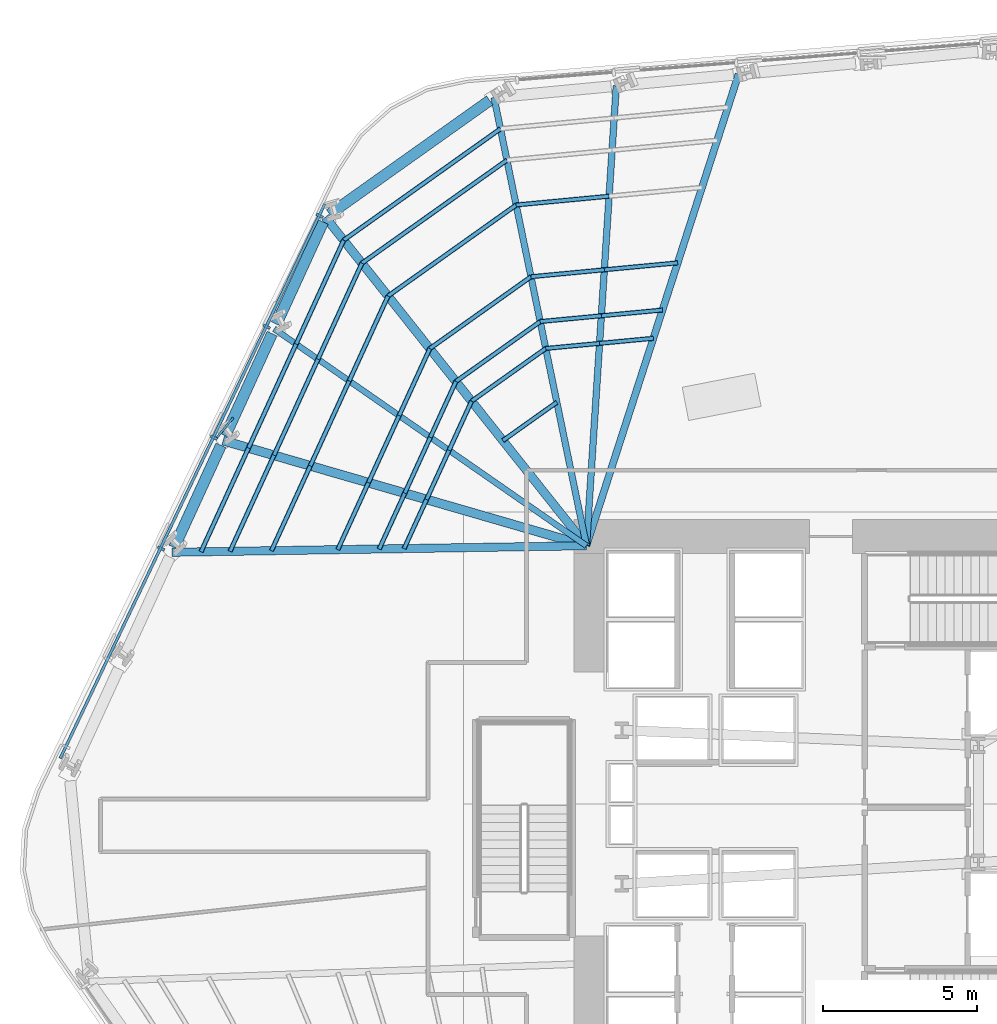
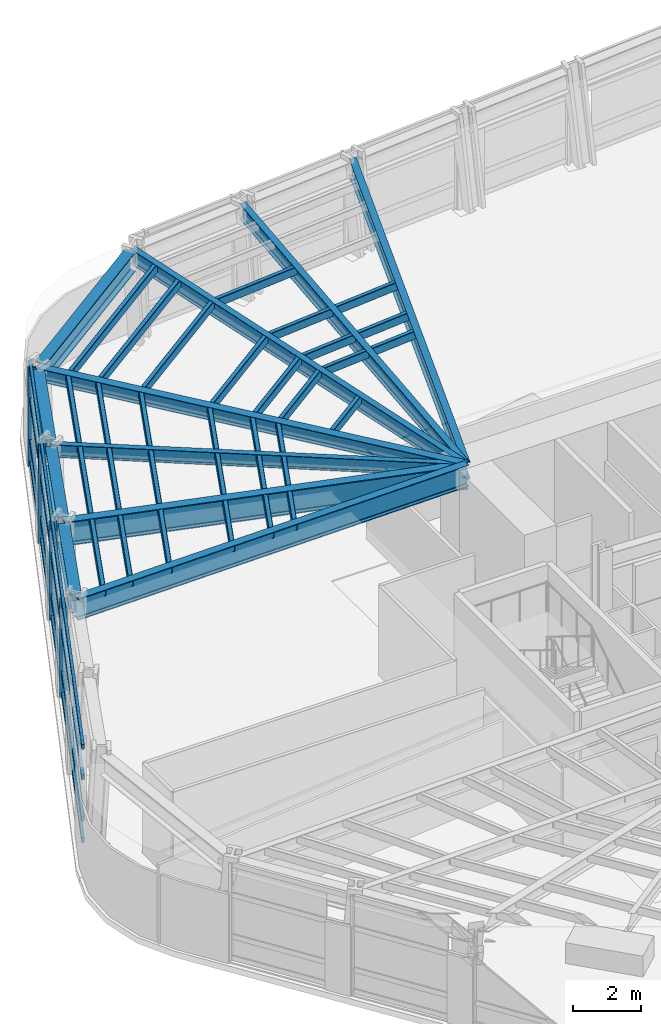
# One storey, part 5 of 15: 41 members, 11 beams, 1 element without a shape of its own.
"""IFC4 building model written with IfcOpenShell, lengths in metres."""

from ifc_helpers import new_model, si_unit, direction, frame, origin, origin_2d, place, context, subcontext, project, spatial, rectangle, hollow_rectangle, i_section, extrude, material, layer, layer_set, material_profile, profile_set, type_object, element, aggregate, save


model = new_model("IFC4")

# Units and contexts
model_context = context("Model", 3, precision=1e-05, world=origin(), true_north=direction((0.0, 1.0)))
body_context = subcontext(model_context, "Body", "Model", "MODEL_VIEW")
ifc_project = project(units=[si_unit("LENGTHUNIT", "METRE"), si_unit("AREAUNIT", "SQUARE_METRE"), si_unit("VOLUMEUNIT", "CUBIC_METRE"), si_unit("PLANEANGLEUNIT", "RADIAN"), si_unit("MASSUNIT", "GRAM", prefix="KILO")], contexts=[model_context])

# Site, building, storey
site_placement = place(None, origin())
site = spatial("IfcSite", under=ifc_project, at=site_placement, CompositionType="ELEMENT")
building_placement = place(site_placement, origin())
building = spatial("IfcBuilding", under=site, at=building_placement, Name="Valkerne Bourse Tower", CompositionType="ELEMENT")
storey_placement = place(building_placement, frame((0.0, 0.0, 43.0)))
storey = spatial("IfcBuildingStorey", under=building, at=storey_placement, Name="L10", CompositionType="ELEMENT", Elevation=43.0)

# Beams
ifc_material_1 = material(Name="Steel ASTM A992", Category="steel")
ifc_material_profile_1 = material_profile(ifc_material_1, i_section(OverallWidth=0.1904296875, OverallDepth=0.457275390625, WebThickness=0.009033203125, FlangeThickness=0.014404296875, FilletRadius=0.01513671875, at=origin_2d()), Name="W18X50")
ifc_profile_set_1 = profile_set([ifc_material_profile_1], Name="Steel ASTM A992")
beam_type_1 = type_object("IfcBeamType", Name="BM-W18X50", PredefinedType="JOIST", material=ifc_profile_set_1)
beam_1_placement = place(storey_placement, frame((27.444091796875, 42.4541015625, 3.351318359375), z_axis=(0.821316260528, -0.570473137135, 0.0), x_axis=(0.570473137135, 0.821316260528, 0.0)))
element("IfcBeam", 1, at=beam_1_placement, inside=storey, type_object=beam_type_1, Name="L10 Radial Composite Floor Beam 13", PredefinedType="JOIST", context=body_context, shape_type="SweptSolid", body=[
    extrude(i_section(OverallWidth=0.1904296875, OverallDepth=0.457275390625, WebThickness=0.009033203125, FlangeThickness=0.014404296875, FilletRadius=0.01513671875, at=origin_2d()), origin(), (0.0, 0.0, 1.0), 12.365478515625),
])
ifc_material_profile_2 = material_profile(ifc_material_1, i_section(OverallWidth=0.279296875, OverallDepth=0.46240234375, WebThickness=0.0107421875, FlangeThickness=0.017333984375, FilletRadius=0.017822265625, at=origin_2d()), Name="W18X76")
ifc_profile_set_2 = profile_set([ifc_material_profile_2], Name="Steel ASTM A992")
beam_type_2 = type_object("IfcBeamType", Name="BM-W18X76", PredefinedType="BEAM", material=ifc_profile_set_2)
beam_2_placement = place(storey_placement, frame((29.107666015625, 46.08740234375, 3.348876953125), z_axis=(0.622120185707, -0.782921755053, 0.0), x_axis=(0.782921755053, 0.622120185707, 0.0)))
element("IfcBeam", 2, at=beam_2_placement, inside=storey, type_object=beam_type_2, Name="L10 Radial Composite Floor Beam 12", PredefinedType="BEAM", context=body_context, shape_type="SweptSolid", body=[
    extrude(i_section(OverallWidth=0.279296875, OverallDepth=0.46240234375, WebThickness=0.0107421875, FlangeThickness=0.017333984375, FilletRadius=0.017822265625, at=origin_2d()), origin(), (0.0, 0.0, 1.0), 13.65087890625),
])
ifc_material_profile_3 = material_profile(ifc_material_1, i_section(OverallWidth=0.209228515625, OverallDepth=0.533447265625, WebThickness=0.01025390625, FlangeThickness=0.015625, FilletRadius=0.017822265625, at=origin_2d()), Name="W21X62")
ifc_profile_set_3 = profile_set([ifc_material_profile_3], Name="Steel ASTM A992")
beam_type_3 = type_object("IfcBeamType", Name="BM-W21X62", PredefinedType="JOIST", material=ifc_profile_set_3)
beam_3_placement = place(storey_placement, frame((34.5927734375, 49.9853515625, 3.313232421875), z_axis=(0.201938776345, -0.979398147133, 0.0), x_axis=(0.979398147133, 0.201938776345, 0.0)))
element("IfcBeam", 3, at=beam_3_placement, inside=storey, type_object=beam_type_3, Name="L10 Radial Composite Floor Beam 11", PredefinedType="JOIST", context=body_context, shape_type="SweptSolid", body=[
    extrude(i_section(OverallWidth=0.209228515625, OverallDepth=0.533447265625, WebThickness=0.01025390625, FlangeThickness=0.015625, FilletRadius=0.017822265625, at=origin_2d()), origin(), (0.0, 0.0, 1.0), 14.892333984375),
])
ifc_material_profile_4 = material_profile(ifc_material_1, i_section(OverallWidth=0.2138671875, OverallDepth=0.548583984375, WebThickness=0.0146484375, FlangeThickness=0.023681640625, FilletRadius=0.017822265625, at=origin_2d()), Name="W21X93")
ifc_profile_set_4 = profile_set([ifc_material_profile_4], Name="Steel ASTM A992")
beam_type_4 = type_object("IfcBeamType", Name="BM-W21X93", PredefinedType="BEAM", material=ifc_profile_set_4)
beam_4_placement = place(storey_placement, frame((38.571044921875, 50.361572265625, 3.3056640625), z_axis=(-0.064759425947, -0.997900905276, 0.0), x_axis=(0.997900905276, -0.064759425947, 0.0)))
element("IfcBeam", 4, at=beam_4_placement, inside=storey, type_object=beam_type_4, Name="L10 Radial Composite Floor Beam 10", PredefinedType="BEAM", context=body_context, shape_type="SweptSolid", body=[
    extrude(i_section(OverallWidth=0.2138671875, OverallDepth=0.548583984375, WebThickness=0.0146484375, FlangeThickness=0.023681640625, FilletRadius=0.017822265625, at=origin_2d()), origin(), (0.0, 0.0, 1.0), 14.9931640625),
])
ifc_material_profile_5 = material_profile(ifc_material_1, i_section(OverallWidth=0.228271484375, OverallDepth=0.607177734375, WebThickness=0.01123046875, FlangeThickness=0.017333984375, FilletRadius=0.017822265625, at=origin_2d()), Name="W24X76")
ifc_profile_set_5 = profile_set([ifc_material_profile_5], Name="Steel ASTM A992")
beam_type_5 = type_object("IfcBeamType", Name="BM-W24X76", PredefinedType="JOIST", material=ifc_profile_set_5)
beam_5_placement = place(storey_placement, frame((42.54931640625, 50.737548828125, 3.2763671875), z_axis=(-0.307092185223, -0.951679772705, 0.0), x_axis=(0.951679772705, -0.307092185223, 0.0)))
element("IfcBeam", 5, at=beam_5_placement, inside=storey, type_object=beam_type_5, Name="L10 Radial Composite Floor Beam 09", PredefinedType="JOIST", context=body_context, shape_type="SweptSolid", body=[
    extrude(i_section(OverallWidth=0.228271484375, OverallDepth=0.607177734375, WebThickness=0.01123046875, FlangeThickness=0.017333984375, FilletRadius=0.017822265625, at=origin_2d()), origin(), (0.0, 0.0, 1.0), 16.116455078125),
])
ifc_material_profile_6 = material_profile(ifc_material_1, i_section(OverallWidth=0.358154296875, OverallDepth=0.7060546875, WebThickness=0.018310546875, FlangeThickness=0.0302734375, FilletRadius=0.02294921875, at=origin_2d()), Name="W27X178")
ifc_profile_set_6 = profile_set([ifc_material_profile_6], Name="Steel ASTM A992")
beam_type_6 = type_object("IfcBeamType", Name="BM-W27X178", PredefinedType="SPANDREL", material=ifc_profile_set_6)
beam_6_placement = place(storey_placement, frame((34.4541015625, 49.886962890625, 3.226806640625), z_axis=(-0.815112506317, -0.579302686033, 0.0), x_axis=(0.579302686033, -0.815112506317, 0.0)))
element("IfcBeam", 6, at=beam_6_placement, inside=storey, type_object=beam_type_6, Name="L10 Hexagonal Spandrel Ring Beam 11", PredefinedType="SPANDREL", context=body_context, shape_type="SweptSolid", body=[
    extrude(i_section(OverallWidth=0.358154296875, OverallDepth=0.7060546875, WebThickness=0.018310546875, FlangeThickness=0.0302734375, FilletRadius=0.02294921875, at=origin_2d()), origin(), (0.0, 0.0, 1.0), 6.388916015625),
])
for number, where, z_axis, x_axis, name in (
    (7, (29.036865234375, 45.932861328125, 3.226806640625), (-0.416286781049, -0.909233367142, 0.0), (0.909233367142, -0.416286781049, 0.0), "L10 Hexagonal Spandrel Ring Beam 12"),
    (8, (27.373291015625, 42.299560546875, 3.226806640625), (-0.416231573984, -0.909258641322, 0.0), (0.909258641322, -0.416231573984, 0.0), "L10 Hexagonal Spandrel Ring Beam 13"),
    (9, (25.7099609375, 38.666259765625, 3.226806640625), (-0.416286781049, -0.909233367142, 0.0), (0.909233367142, -0.416286781049, 0.0), "L10 Hexagonal Spandrel Ring Beam 14"),
):
    element("IfcBeam", number, at=place(storey_placement, frame(where, z_axis=z_axis, x_axis=x_axis)), inside=storey, type_object=beam_type_6, Name=name, PredefinedType="SPANDREL", context=body_context, shape_type="SweptSolid", body=[
        extrude(i_section(OverallWidth=0.358154296875, OverallDepth=0.7060546875, WebThickness=0.018310546875, FlangeThickness=0.0302734375, FilletRadius=0.02294921875, at=origin_2d()), origin(), (0.0, 0.0, 1.0), 3.656005859375),
    ])
ifc_material_profile_7 = material_profile(ifc_material_1, i_section(OverallWidth=0.26806640625, OverallDepth=0.76953125, WebThickness=0.015625, FlangeThickness=0.025390625, FilletRadius=0.025390625, at=origin_2d()), Name="W30X132")
ifc_profile_set_7 = profile_set([ifc_material_profile_7], Name="Steel ASTM A992")
beam_type_7 = type_object("IfcBeamType", Name="BM-W30X132", PredefinedType="BEAM", material=ifc_profile_set_7)
beam_7_placement = place(storey_placement, frame((24.1171875, 35.1875, 3.1953125), z_axis=(0.999875937506, 0.01575149505, 0.0), x_axis=(-0.01575149505, 0.999875937506, 0.0)))
element("IfcBeam", 10, at=beam_7_placement, inside=storey, type_object=beam_type_7, Name="L10 Radial Composite Floor Beam 15", PredefinedType="BEAM", context=body_context, shape_type="SweptSolid", body=[
    extrude(i_section(OverallWidth=0.26806640625, OverallDepth=0.76953125, WebThickness=0.015625, FlangeThickness=0.025390625, FilletRadius=0.025390625, at=origin_2d()), origin(), (0.0, 0.0, 1.0), 13.484619140625),
])
ifc_material_profile_8 = material_profile(ifc_material_1, i_section(OverallWidth=0.2919921875, OverallDepth=0.8583984375, WebThickness=0.01708984375, FlangeThickness=0.031005859375, FilletRadius=0.025390625, at=origin_2d()), Name="W33X169")
ifc_profile_set_8 = profile_set([ifc_material_profile_8], Name="Steel ASTM A992")
beam_type_8 = type_object("IfcBeamType", Name="BM-W33X169", PredefinedType="BEAM", material=ifc_profile_set_8)
beam_8_placement = place(storey_placement, frame((25.78076171875, 38.82080078125, 3.150634765625), z_axis=(0.960574862844, -0.27802146117, 0.0), x_axis=(0.27802146117, 0.960574862844, 0.0)))
element("IfcBeam", 11, at=beam_8_placement, inside=storey, type_object=beam_type_8, Name="L10 Radial Composite Floor Beam 14", PredefinedType="BEAM", context=body_context, shape_type="SweptSolid", body=[
    extrude(i_section(OverallWidth=0.2919921875, OverallDepth=0.8583984375, WebThickness=0.01708984375, FlangeThickness=0.031005859375, FilletRadius=0.025390625, at=origin_2d()), origin(), (0.0, 0.0, 1.0), 12.304443359375),
])

# Curtain wall, members
ifc_material_2 = material(Name="Aluminium AA 6063-T6", Category="aluminium")
ifc_layer = layer(ifc_material_2, 0.22509765625)
ifc_layer_set = layer_set([ifc_layer], Name="Aluminium AA 6063-T6")
curtain_wall_type = type_object("IfcCurtainWallType", Name="CW-01", PredefinedType="NOTDEFINED", material=ifc_layer_set)
curtain_wall_placement = place(storey_placement, origin())
curtain_wall = element("IfcCurtainWall", 12, at=curtain_wall_placement, inside=storey, type_object=curtain_wall_type, Name="L10 Hexagonal Stick Curtain Wall Face 3", PredefinedType="NOTDEFINED")
ifc_material_profile_9 = material_profile(ifc_material_2, rectangle(XDim=0.090087890625, YDim=0.239990234375, at=origin_2d()), Name="CWM-90X240")
ifc_profile_set_9 = profile_set([ifc_material_profile_9], Name="Aluminium AA 6063-T6")
member_type_1 = type_object("IfcMemberType", Name="CW-MUL-240X90", PredefinedType="MULLION", material=ifc_profile_set_9)
member_1_placement = place(storey_placement, frame((28.922119140625, 46.13037109375, 0.0), z_axis=(0.0, 0.0, 1.0), x_axis=(-0.430499812509, -0.902590666598, 0.0)))
member_1 = element("IfcMember", 13, at=member_1_placement, type_object=member_type_1, Name="CW-L10-F3 Jamb Mullion 00A", PredefinedType="MULLION", context=body_context, shape_type="SweptSolid", body=[
    extrude(rectangle(XDim=0.090087890625, YDim=0.239990234375, at=origin_2d()), origin(), (0.0, 0.0, 1.0), 3.580078125),
])
member_2_placement = place(storey_placement, frame((27.20166015625, 42.5234375, 0.0), z_axis=(0.0, 0.0, 1.0), x_axis=(-0.430529923211, -0.902576304375, 0.0)))
member_2 = element("IfcMember", 14, at=member_2_placement, type_object=member_type_1, Name="CW-L10-F3 Jamb Mullion 01A", PredefinedType="MULLION", context=body_context, shape_type="SweptSolid", body=[
    extrude(rectangle(XDim=0.090087890625, YDim=0.239990234375, at=origin_2d()), origin(), (0.0, 0.0, 1.0), 3.580078125),
])
member_3_placement = place(storey_placement, frame((25.481201171875, 38.916748046875, 0.0), z_axis=(0.0, 0.0, 1.0), x_axis=(-0.430509536417, -0.902586028617, 0.0)))
member_3 = element("IfcMember", 15, at=member_3_placement, type_object=member_type_1, Name="CW-L10-F3 Jamb Mullion 02A", PredefinedType="MULLION", context=body_context, shape_type="SweptSolid", body=[
    extrude(rectangle(XDim=0.090087890625, YDim=0.239990234375, at=origin_2d()), origin(), (0.0, 0.0, 1.0), 3.580078125),
])
member_4_placement = place(storey_placement, frame((23.760986328125, 35.31005859375, 0.0), z_axis=(0.0, 0.0, 1.0), x_axis=(-0.430499812509, -0.902590666598, 0.0)))
member_4 = element("IfcMember", 16, at=member_4_placement, type_object=member_type_1, Name="CW-L10-F3 Jamb Mullion 03A", PredefinedType="MULLION", context=body_context, shape_type="SweptSolid", body=[
    extrude(rectangle(XDim=0.090087890625, YDim=0.239990234375, at=origin_2d()), origin(), (0.0, 0.0, 1.0), 3.580078125),
])
ifc_material_profile_10 = material_profile(ifc_material_2, rectangle(XDim=0.090087890625, YDim=0.179931640625, at=origin_2d()), Name="CWT-90X180")
ifc_profile_set_10 = profile_set([ifc_material_profile_10], Name="Aluminium AA 6063-T6")
member_type_2 = type_object("IfcMemberType", Name="CW-TRN-180X90", PredefinedType="USERDEFINED", material=ifc_profile_set_10)
member_5_placement = place(storey_placement, frame((29.084716796875, 46.51806640625, 0.1201171875), z_axis=(-0.430508362314, -0.902586588632, 0.0), x_axis=(0.902586588632, -0.430508362314, 0.0)))
member_5 = element("IfcMember", 17, at=member_5_placement, type_object=member_type_2, Name="CW-L10-F3 Continuous Face Transom 1", ObjectType="TRANSOM", PredefinedType="USERDEFINED", context=body_context, shape_type="SweptSolid", body=[
    extrude(rectangle(XDim=0.090087890625, YDim=0.179931640625, at=origin_2d()), origin(), (0.0, 0.0, 1.0), 19.97998046875),
])
member_6_placement = place(storey_placement, frame((29.084716796875, 46.51806640625, 0.89990234375), z_axis=(-0.430508362314, -0.902586588632, 0.0), x_axis=(0.902586588632, -0.430508362314, 0.0)))
member_6 = element("IfcMember", 18, at=member_6_placement, type_object=member_type_2, Name="CW-L10-F3 Continuous Face Transom 2", ObjectType="TRANSOM", PredefinedType="USERDEFINED", context=body_context, shape_type="SweptSolid", body=[
    extrude(rectangle(XDim=0.090087890625, YDim=0.179931640625, at=origin_2d()), origin(), (0.0, 0.0, 1.0), 19.97998046875),
])
member_7_placement = place(storey_placement, frame((29.084716796875, 46.51806640625, 2.39990234375), z_axis=(-0.430508362314, -0.902586588632, 0.0), x_axis=(0.902586588632, -0.430508362314, 0.0)))
member_7 = element("IfcMember", 19, at=member_7_placement, type_object=member_type_2, Name="CW-L10-F3 Continuous Face Transom 3", ObjectType="TRANSOM", PredefinedType="USERDEFINED", context=body_context, shape_type="SweptSolid", body=[
    extrude(rectangle(XDim=0.090087890625, YDim=0.179931640625, at=origin_2d()), origin(), (0.0, 0.0, 1.0), 19.97998046875),
])
member_8_placement = place(storey_placement, frame((29.084716796875, 46.51806640625, 3.5), z_axis=(-0.430508362314, -0.902586588632, 0.0), x_axis=(0.902586588632, -0.430508362314, 0.0)))
member_8 = element("IfcMember", 20, at=member_8_placement, type_object=member_type_2, Name="CW-L10-F3 Continuous Face Transom 4", ObjectType="TRANSOM", PredefinedType="USERDEFINED", context=body_context, shape_type="SweptSolid", body=[
    extrude(rectangle(XDim=0.090087890625, YDim=0.179931640625, at=origin_2d()), origin(), (0.0, 0.0, 1.0), 19.97998046875),
])
aggregate(curtain_wall, [member_5, member_6, member_7, member_8, member_1, member_2, member_3, member_4])

# Members
ifc_material_3 = material(Name="Bronze Anodised Aluminium AA 6063-T6", Category="aluminium")
ifc_material_profile_11 = material_profile(ifc_material_3, rectangle(XDim=0.070068359375, YDim=0.89990234375, at=origin_2d()), Name="FIN-70X900")
ifc_profile_set_11 = profile_set([ifc_material_profile_11], Name="Bronze Anodised Aluminium AA 6063-T6")
member_type_3 = type_object("IfcMemberType", Name="FIN-SOLAR-900", PredefinedType="USERDEFINED", material=ifc_profile_set_11)
member_9_placement = place(storey_placement, frame((25.82470703125, 39.218505859375, 0.00390625), z_axis=(0.0, 0.0, 1.0), x_axis=(-0.774221738985, 0.632914448313, 0.0)))
element("IfcMember", 21, at=member_9_placement, inside=storey, type_object=member_type_3, Name="L10 Bronze Anodised Solar Fin F3-02", ObjectType="SOLAR_FIN", PredefinedType="USERDEFINED", context=body_context, shape_type="SweptSolid", body=[
    extrude(rectangle(XDim=0.070068359375, YDim=0.89990234375, at=origin_2d()), origin(), (0.0, 0.0, 1.0), 3.572021484375),
])
ifc_material_4 = material(Name="Steel ASTM A500 Grade C", Category="steel")
ifc_material_profile_12 = material_profile(ifc_material_4, hollow_rectangle(XDim=0.14990234375, YDim=0.300048828125, WallThickness=0.012451171875, OuterFilletRadius=0.02490234375, at=origin_2d()), Name="HSS300X150X12.5")
ifc_profile_set_12 = profile_set([ifc_material_profile_12], Name="Steel ASTM A500 Grade C")
member_type_4 = type_object("IfcMemberType", Name="MBR-HSS300X150X12.5", PredefinedType="PURLIN", material=ifc_profile_set_12)
member_10_placement = place(storey_placement, frame((36.6376953125, 40.0673828125, 3.419921875), z_axis=(-0.815125460049, -0.57928445895, 0.0), x_axis=(0.57928445895, -0.815125460049, 0.0)))
element("IfcMember", 22, at=member_10_placement, inside=storey, type_object=member_type_4, Name="L10 Secondary Composite Floor Purlin I-11", PredefinedType="PURLIN", context=body_context, shape_type="SweptSolid", body=[
    extrude(hollow_rectangle(XDim=0.14990234375, YDim=0.300048828125, WallThickness=0.012451171875, OuterFilletRadius=0.02490234375, at=origin_2d()), origin(), (0.0, 0.0, 1.0), 2.1533203125),
])
member_11_placement = place(storey_placement, frame((39.777587890625, 42.1484375, 3.419921875), z_axis=(-0.995571905202, -0.09400309342, 0.0), x_axis=(0.09400309342, -0.995571905202, 0.0)))
element("IfcMember", 23, at=member_11_placement, inside=storey, type_object=member_type_4, Name="L10 Secondary Composite Floor Purlin K-09", PredefinedType="PURLIN", context=body_context, shape_type="SweptSolid", body=[
    extrude(hollow_rectangle(XDim=0.14990234375, YDim=0.300048828125, WallThickness=0.012451171875, OuterFilletRadius=0.02490234375, at=origin_2d()), origin(), (0.0, 0.0, 1.0), 1.75830078125),
])
member_12_placement = place(storey_placement, frame((38.027099609375, 41.983154296875, 3.419921875), z_axis=(-0.995557670284, -0.094153731406, 0.0), x_axis=(0.094153731406, -0.995557670284, 0.0)))
element("IfcMember", 24, at=member_12_placement, inside=storey, type_object=member_type_4, Name="L10 Secondary Composite Floor Purlin K-10", PredefinedType="PURLIN", context=body_context, shape_type="SweptSolid", body=[
    extrude(hollow_rectangle(XDim=0.14990234375, YDim=0.300048828125, WallThickness=0.012451171875, OuterFilletRadius=0.02490234375, at=origin_2d()), origin(), (0.0, 0.0, 1.0), 1.758056640625),
])
member_13_placement = place(storey_placement, frame((36.27685546875, 41.817626953125, 3.419921875), z_axis=(-0.815151720611, -0.57924750529, 0.0), x_axis=(0.57924750529, -0.815151720611, 0.0)))
element("IfcMember", 25, at=member_13_placement, inside=storey, type_object=member_type_4, Name="L10 Secondary Composite Floor Purlin K-11", PredefinedType="PURLIN", context=body_context, shape_type="SweptSolid", body=[
    extrude(hollow_rectangle(XDim=0.14990234375, YDim=0.300048828125, WallThickness=0.012451171875, OuterFilletRadius=0.02490234375, at=origin_2d()), origin(), (0.0, 0.0, 1.0), 2.9609375),
])
member_14_placement = place(storey_placement, frame((33.86328125, 40.1025390625, 3.419921875), z_axis=(-0.416291299933, -0.909231298186, 0.0), x_axis=(0.909231298186, -0.416291299933, 0.0)))
element("IfcMember", 26, at=member_14_placement, inside=storey, type_object=member_type_4, Name="L10 Secondary Composite Floor Purlin K-12", PredefinedType="PURLIN", context=body_context, shape_type="SweptSolid", body=[
    extrude(hollow_rectangle(XDim=0.14990234375, YDim=0.300048828125, WallThickness=0.012451171875, OuterFilletRadius=0.02490234375, at=origin_2d()), origin(), (0.0, 0.0, 1.0), 1.75830078125),
])
member_15_placement = place(storey_placement, frame((33.13134765625, 38.50390625, 3.419921875), z_axis=(-0.41617649723, -0.909283851805, 0.0), x_axis=(0.909283851805, -0.41617649723, 0.0)))
element("IfcMember", 27, at=member_15_placement, inside=storey, type_object=member_type_4, Name="L10 Secondary Composite Floor Purlin K-13", PredefinedType="PURLIN", context=body_context, shape_type="SweptSolid", body=[
    extrude(hollow_rectangle(XDim=0.14990234375, YDim=0.300048828125, WallThickness=0.012451171875, OuterFilletRadius=0.02490234375, at=origin_2d()), origin(), (0.0, 0.0, 1.0), 1.758056640625),
])
member_16_placement = place(storey_placement, frame((32.399658203125, 36.9052734375, 3.419921875), z_axis=(-0.416353522426, -0.909202807059, 0.0), x_axis=(0.909202807059, -0.416353522426, 0.0)))
element("IfcMember", 28, at=member_16_placement, inside=storey, type_object=member_type_4, Name="L10 Secondary Composite Floor Purlin K-14", PredefinedType="PURLIN", context=body_context, shape_type="SweptSolid", body=[
    extrude(hollow_rectangle(XDim=0.14990234375, YDim=0.300048828125, WallThickness=0.012451171875, OuterFilletRadius=0.02490234375, at=origin_2d()), origin(), (0.0, 0.0, 1.0), 1.758544921875),
])
member_17_placement = place(storey_placement, frame((40.07470703125, 43.068603515625, 3.419921875), z_axis=(-0.995564399959, -0.094082546388, 0.0), x_axis=(0.094082546388, -0.995564399959, 0.0)))
element("IfcMember", 29, at=member_17_placement, inside=storey, type_object=member_type_4, Name="L10 Secondary Composite Floor Purlin M-09", PredefinedType="PURLIN", context=body_context, shape_type="SweptSolid", body=[
    extrude(hollow_rectangle(XDim=0.14990234375, YDim=0.300048828125, WallThickness=0.012451171875, OuterFilletRadius=0.02490234375, at=origin_2d()), origin(), (0.0, 0.0, 1.0), 1.998046875),
])
member_18_placement = place(storey_placement, frame((38.08544921875, 42.880615234375, 3.419921875), z_axis=(-0.995563318237, -0.094093992272, 0.0), x_axis=(0.094093992272, -0.995563318237, 0.0)))
element("IfcMember", 30, at=member_18_placement, inside=storey, type_object=member_type_4, Name="L10 Secondary Composite Floor Purlin M-10", PredefinedType="PURLIN", context=body_context, shape_type="SweptSolid", body=[
    extrude(hollow_rectangle(XDim=0.14990234375, YDim=0.300048828125, WallThickness=0.012451171875, OuterFilletRadius=0.02490234375, at=origin_2d()), origin(), (0.0, 0.0, 1.0), 1.997802734375),
])
member_19_placement = place(storey_placement, frame((36.096435546875, 42.692626953125, 3.419921875), z_axis=(-0.815123601212, -0.579287074555, 0.0), x_axis=(0.579287074555, -0.815123601212, 0.0)))
element("IfcMember", 31, at=member_19_placement, inside=storey, type_object=member_type_4, Name="L10 Secondary Composite Floor Purlin M-11", PredefinedType="PURLIN", context=body_context, shape_type="SweptSolid", body=[
    extrude(hollow_rectangle(XDim=0.14990234375, YDim=0.300048828125, WallThickness=0.012451171875, OuterFilletRadius=0.02490234375, at=origin_2d()), origin(), (0.0, 0.0, 1.0), 3.364501953125),
])
for number, where, z_axis, x_axis, name in (
    (32, (33.35400390625, 40.74365234375, 3.419921875), (-0.416305461822, -0.909224814035, 0.0), (0.909224814035, -0.416305461822, 0.0), "L10 Secondary Composite Floor Purlin M-12"),
    (33, (32.522216796875, 38.927001953125, 3.419921875), (-0.416305461822, -0.909224814035, 0.0), (0.909224814035, -0.416305461822, 0.0), "L10 Secondary Composite Floor Purlin M-13"),
    (34, (31.6904296875, 37.1103515625, 3.419921875), (-0.416305461822, -0.909224814035, 0.0), (0.909224814035, -0.416305461822, 0.0), "L10 Secondary Composite Floor Purlin M-14"),
):
    element("IfcMember", number, at=place(storey_placement, frame(where, z_axis=z_axis, x_axis=x_axis)), inside=storey, type_object=member_type_4, Name=name, PredefinedType="PURLIN", context=body_context, shape_type="SweptSolid", body=[
        extrude(hollow_rectangle(XDim=0.14990234375, YDim=0.300048828125, WallThickness=0.012451171875, OuterFilletRadius=0.02490234375, at=origin_2d()), origin(), (0.0, 0.0, 1.0), 1.998046875),
    ])
member_20_placement = place(storey_placement, frame((38.337890625, 46.770751953125, 3.419921875), z_axis=(-0.995559197428, -0.09413758238, 0.0), x_axis=(0.09413758238, -0.995559197428, 0.0)))
element("IfcMember", 35, at=member_20_placement, inside=storey, type_object=member_type_4, Name="L10 Secondary Composite Floor Purlin O-10", PredefinedType="PURLIN", context=body_context, shape_type="SweptSolid", body=[
    extrude(hollow_rectangle(XDim=0.14990234375, YDim=0.300048828125, WallThickness=0.012451171875, OuterFilletRadius=0.02490234375, at=origin_2d()), origin(), (0.0, 0.0, 1.0), 3.036865234375),
])
member_21_placement = place(storey_placement, frame((35.314453125, 46.48486328125, 3.419921875), z_axis=(-0.815124644762, -0.579285606158, 0.0), x_axis=(0.579285606158, -0.815124644762, 0.0)))
element("IfcMember", 36, at=member_21_placement, inside=storey, type_object=member_type_4, Name="L10 Secondary Composite Floor Purlin O-11", PredefinedType="PURLIN", context=body_context, shape_type="SweptSolid", body=[
    extrude(hollow_rectangle(XDim=0.14990234375, YDim=0.300048828125, WallThickness=0.012451171875, OuterFilletRadius=0.02490234375, at=origin_2d()), origin(), (0.0, 0.0, 1.0), 5.11376953125),
])
member_22_placement = place(storey_placement, frame((31.14599609375, 43.5224609375, 3.419921875), z_axis=(-0.416308694698, -0.909223333796, 0.0), x_axis=(0.909223333796, -0.416308694698, 0.0)))
element("IfcMember", 37, at=member_22_placement, inside=storey, type_object=member_type_4, Name="L10 Secondary Composite Floor Purlin O-12", PredefinedType="PURLIN", context=body_context, shape_type="SweptSolid", body=[
    extrude(hollow_rectangle(XDim=0.14990234375, YDim=0.300048828125, WallThickness=0.012451171875, OuterFilletRadius=0.02490234375, at=origin_2d()), origin(), (0.0, 0.0, 1.0), 3.037109375),
])
for number, where, z_axis, x_axis, name in (
    (38, (29.881591796875, 40.760986328125, 3.419921875), (-0.416272664879, -0.909239830009, 0.0), (0.909239830009, -0.416272664879, 0.0), "L10 Secondary Composite Floor Purlin O-13"),
    (39, (28.617431640625, 37.999755859375, 3.419921875), (-0.416339123443, -0.909209400683, 0.0), (0.909209400683, -0.416339123443, 0.0), "L10 Secondary Composite Floor Purlin O-14"),
):
    element("IfcMember", number, at=place(storey_placement, frame(where, z_axis=z_axis, x_axis=x_axis)), inside=storey, type_object=member_type_4, Name=name, PredefinedType="PURLIN", context=body_context, shape_type="SweptSolid", body=[
        extrude(hollow_rectangle(XDim=0.14990234375, YDim=0.300048828125, WallThickness=0.012451171875, OuterFilletRadius=0.02490234375, at=origin_2d()), origin(), (0.0, 0.0, 1.0), 3.036865234375),
    ])
for number, where, z_axis, x_axis, name in (
    (40, (40.569580078125, 44.6025390625, 3.419921875), (-0.995563859147, -0.094088268984, 0.0), (0.094088268984, -0.995563859147, 0.0), "L10 Secondary Composite Floor Purlin Z-09"),
    (41, (38.1826171875, 44.376953125, 3.419921875), (-0.995554315886, -0.094189193228, 0.0), (0.094189193228, -0.995554315886, 0.0), "L10 Secondary Composite Floor Purlin Z-10"),
):
    element("IfcMember", number, at=place(storey_placement, frame(where, z_axis=z_axis, x_axis=x_axis)), inside=storey, type_object=member_type_4, Name=name, PredefinedType="PURLIN", context=body_context, shape_type="SweptSolid", body=[
        extrude(hollow_rectangle(XDim=0.14990234375, YDim=0.300048828125, WallThickness=0.012451171875, OuterFilletRadius=0.02490234375, at=origin_2d()), origin(), (0.0, 0.0, 1.0), 2.397705078125),
    ])
member_23_placement = place(storey_placement, frame((35.795654296875, 44.151123046875, 3.419921875), z_axis=(-0.815148849719, -0.57925154536, 0.0), x_axis=(0.57925154536, -0.815148849719, 0.0)))
element("IfcMember", 42, at=member_23_placement, inside=storey, type_object=member_type_4, Name="L10 Secondary Composite Floor Purlin Z-11", PredefinedType="PURLIN", context=body_context, shape_type="SweptSolid", body=[
    extrude(hollow_rectangle(XDim=0.14990234375, YDim=0.300048828125, WallThickness=0.012451171875, OuterFilletRadius=0.02490234375, at=origin_2d()), origin(), (0.0, 0.0, 1.0), 4.037353515625),
])
member_24_placement = place(storey_placement, frame((32.504638671875, 41.8125, 3.419921875), z_axis=(-0.416279497863, -0.909236701667, 0.0), x_axis=(0.909236701667, -0.416279497863, 0.0)))
element("IfcMember", 43, at=member_24_placement, inside=storey, type_object=member_type_4, Name="L10 Secondary Composite Floor Purlin Z-12", PredefinedType="PURLIN", context=body_context, shape_type="SweptSolid", body=[
    extrude(hollow_rectangle(XDim=0.14990234375, YDim=0.300048828125, WallThickness=0.012451171875, OuterFilletRadius=0.02490234375, at=origin_2d()), origin(), (0.0, 0.0, 1.0), 2.3974609375),
])
member_25_placement = place(storey_placement, frame((31.506591796875, 39.632568359375, 3.419921875), z_axis=(-0.416240958891, -0.909254345132, 0.0), x_axis=(0.909254345132, -0.416240958891, 0.0)))
element("IfcMember", 44, at=member_25_placement, inside=storey, type_object=member_type_4, Name="L10 Secondary Composite Floor Purlin Z-13", PredefinedType="PURLIN", context=body_context, shape_type="SweptSolid", body=[
    extrude(hollow_rectangle(XDim=0.14990234375, YDim=0.300048828125, WallThickness=0.012451171875, OuterFilletRadius=0.02490234375, at=origin_2d()), origin(), (0.0, 0.0, 1.0), 2.397705078125),
])
member_26_placement = place(storey_placement, frame((30.508544921875, 37.452392578125, 3.419921875), z_axis=(-0.416279497863, -0.909236701667, 0.0), x_axis=(0.909236701667, -0.416279497863, 0.0)))
element("IfcMember", 45, at=member_26_placement, inside=storey, type_object=member_type_4, Name="L10 Secondary Composite Floor Purlin Z-14", PredefinedType="PURLIN", context=body_context, shape_type="SweptSolid", body=[
    extrude(hollow_rectangle(XDim=0.14990234375, YDim=0.300048828125, WallThickness=0.012451171875, OuterFilletRadius=0.02490234375, at=origin_2d()), origin(), (0.0, 0.0, 1.0), 2.3974609375),
])
member_27_placement = place(storey_placement, frame((35.013671875, 47.943359375, 3.419921875), z_axis=(-0.815142138939, -0.579260988956, 0.0), x_axis=(0.579260988956, -0.815142138939, 0.0)))
element("IfcMember", 46, at=member_27_placement, inside=storey, type_object=member_type_4, Name="L10 Secondary Composite Floor Purlin T-11", PredefinedType="PURLIN", context=body_context, shape_type="SweptSolid", body=[
    extrude(hollow_rectangle(XDim=0.14990234375, YDim=0.300048828125, WallThickness=0.012451171875, OuterFilletRadius=0.02490234375, at=origin_2d()), origin(), (0.0, 0.0, 1.0), 5.786865234375),
])
member_28_placement = place(storey_placement, frame((30.296630859375, 44.59130859375, 3.419921875), z_axis=(-0.416290205728, -0.909231799166, 0.0), x_axis=(0.909231799166, -0.416290205728, 0.0)))
element("IfcMember", 47, at=member_28_placement, inside=storey, type_object=member_type_4, Name="L10 Secondary Composite Floor Purlin T-12", PredefinedType="PURLIN", context=body_context, shape_type="SweptSolid", body=[
    extrude(hollow_rectangle(XDim=0.14990234375, YDim=0.300048828125, WallThickness=0.012451171875, OuterFilletRadius=0.02490234375, at=origin_2d()), origin(), (0.0, 0.0, 1.0), 3.436767578125),
])
for number, where, z_axis, x_axis, name in (
    (48, (28.865966796875, 41.466552734375, 3.419921875), (-0.416231474772, -0.909258686739, 0.0), (0.909258686739, -0.416231474772, 0.0), "L10 Secondary Composite Floor Purlin T-13"),
    (49, (27.435546875, 38.341796875, 3.419921875), (-0.416317095957, -0.90921948704, 0.0), (0.90921948704, -0.416317095957, 0.0), "L10 Secondary Composite Floor Purlin T-14"),
):
    element("IfcMember", number, at=place(storey_placement, frame(where, z_axis=z_axis, x_axis=x_axis)), inside=storey, type_object=member_type_4, Name=name, PredefinedType="PURLIN", context=body_context, shape_type="SweptSolid", body=[
        extrude(hollow_rectangle(XDim=0.14990234375, YDim=0.300048828125, WallThickness=0.012451171875, OuterFilletRadius=0.02490234375, at=origin_2d()), origin(), (0.0, 0.0, 1.0), 3.4365234375),
    ])
member_29_placement = place(storey_placement, frame((34.80322265625, 48.96435546875, 3.419921875), z_axis=(-0.815138718024, -0.579265802873, 0.0), x_axis=(0.579265802873, -0.815138718024, 0.0)))
element("IfcMember", 50, at=member_29_placement, inside=storey, type_object=member_type_4, Name="L10 Secondary Composite Floor Purlin U-11", PredefinedType="PURLIN", context=body_context, shape_type="SweptSolid", body=[
    extrude(hollow_rectangle(XDim=0.14990234375, YDim=0.300048828125, WallThickness=0.012451171875, OuterFilletRadius=0.02490234375, at=origin_2d()), origin(), (0.0, 0.0, 1.0), 6.2578125),
])
member_30_placement = place(storey_placement, frame((29.7021484375, 45.33935546875, 3.419921875), z_axis=(-0.416285975372, -0.909233736015, 0.0), x_axis=(0.909233736015, -0.416285975372, 0.0)))
element("IfcMember", 51, at=member_30_placement, inside=storey, type_object=member_type_4, Name="L10 Secondary Composite Floor Purlin U-12", PredefinedType="PURLIN", context=body_context, shape_type="SweptSolid", body=[
    extrude(hollow_rectangle(XDim=0.14990234375, YDim=0.300048828125, WallThickness=0.012451171875, OuterFilletRadius=0.02490234375, at=origin_2d()), origin(), (0.0, 0.0, 1.0), 3.716552734375),
])
member_31_placement = place(storey_placement, frame((28.155029296875, 41.960205078125, 3.419921875), z_axis=(-0.416256529424, -0.909247217049, 0.0), x_axis=(0.909247217049, -0.416256529424, 0.0)))
element("IfcMember", 52, at=member_31_placement, inside=storey, type_object=member_type_4, Name="L10 Secondary Composite Floor Purlin U-13", PredefinedType="PURLIN", context=body_context, shape_type="SweptSolid", body=[
    extrude(hollow_rectangle(XDim=0.14990234375, YDim=0.300048828125, WallThickness=0.012451171875, OuterFilletRadius=0.02490234375, at=origin_2d()), origin(), (0.0, 0.0, 1.0), 3.716064453125),
])
member_32_placement = place(storey_placement, frame((26.608154296875, 38.581298828125, 3.419921875), z_axis=(-0.416310840954, -0.909222351081, 0.0), x_axis=(0.909222351081, -0.416310840954, 0.0)))
element("IfcMember", 53, at=member_32_placement, inside=storey, type_object=member_type_4, Name="L10 Secondary Composite Floor Purlin U-14", PredefinedType="PURLIN", context=body_context, shape_type="SweptSolid", body=[
    extrude(hollow_rectangle(XDim=0.14990234375, YDim=0.300048828125, WallThickness=0.012451171875, OuterFilletRadius=0.02490234375, at=origin_2d()), origin(), (0.0, 0.0, 1.0), 3.71630859375),
])

save(model, "model.ifc")
